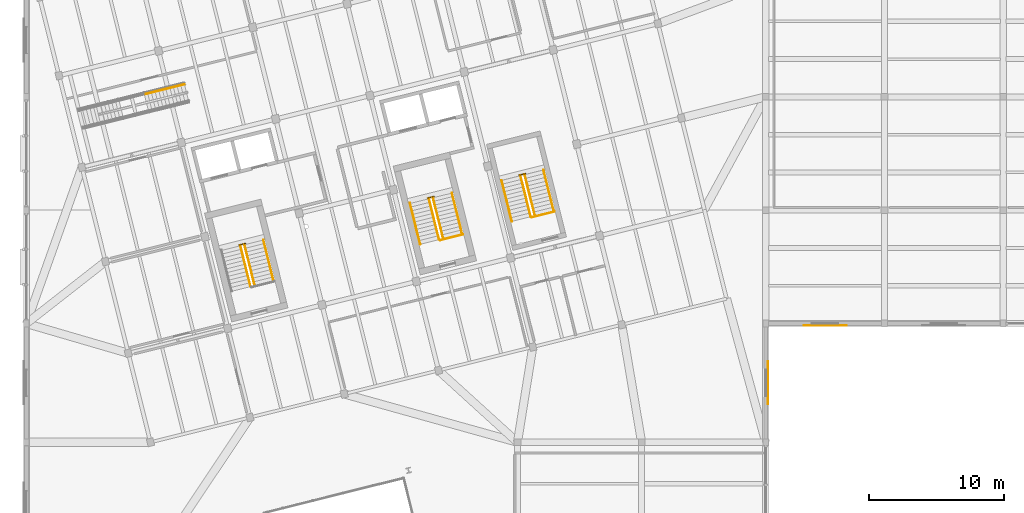
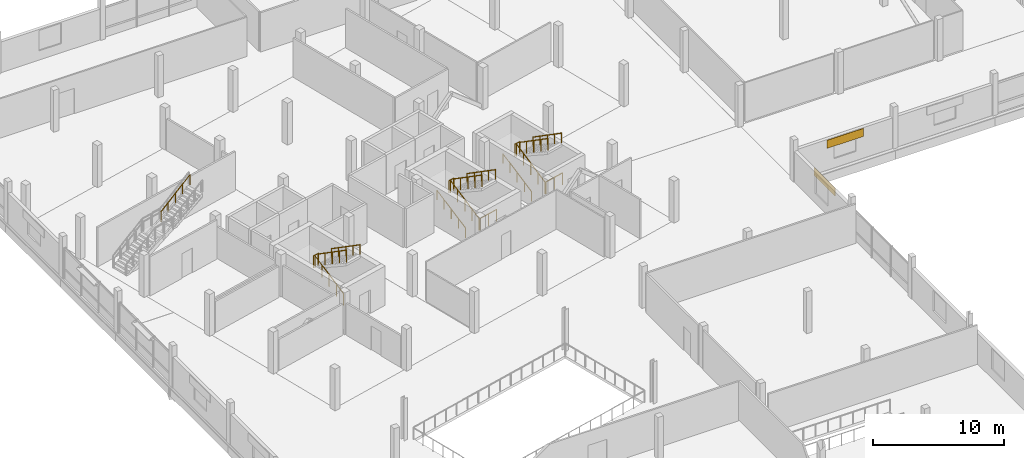
# One storey, part 61 of 62: 17 railings, 2 coverings.
"""IFC4 building model written with IfcOpenShell, lengths in metres."""

from ifc_helpers import new_model, si_unit, direction, frame, origin, origin_2d, place, context, subcontext, project, spatial, rectangle, circle, extrude, material, layer, layer_set, type_object, element, save


model = new_model("IFC4")

# Units and contexts
model_context = context("Model", 3, precision=1e-05, world=origin(), true_north=direction((0.0, 1.0)))
body_context = subcontext(model_context, "Body", "Model", "MODEL_VIEW")
ifc_project = project(units=[si_unit("LENGTHUNIT", "METRE"), si_unit("AREAUNIT", "SQUARE_METRE"), si_unit("VOLUMEUNIT", "CUBIC_METRE"), si_unit("PLANEANGLEUNIT", "RADIAN"), si_unit("MASSUNIT", "GRAM", prefix="KILO")], contexts=[model_context])

# Site, building, storey
site_placement = place(None, origin())
site = spatial("IfcSite", under=ifc_project, at=site_placement, CompositionType="ELEMENT")
building_placement = place(site_placement, origin())
building = spatial("IfcBuilding", under=site, at=building_placement, Name="Meriwether Solvik Hall", CompositionType="ELEMENT")
storey_placement = place(building_placement, frame((0.0, 0.0, 14.39990234375)))
storey = spatial("IfcBuildingStorey", under=building, at=storey_placement, Name="L03", CompositionType="ELEMENT", Elevation=14.39990234375)

# Coverings
ifc_material_1 = material(Name="Acetylated Charred Western Red Cedar Timber", Category="wood")
ifc_layer_1 = layer(ifc_material_1, 0.0400390625)
ifc_layer_set_1 = layer_set([ifc_layer_1], Name="Acetylated Charred Western Red Cedar Timber")
covering_type = type_object("IfcCoveringType", Name="COV-CLAD-TIMB", PredefinedType="CLADDING", material=ifc_layer_set_1)
for number, where, z_axis, x_axis, name in (
    (1, (118.60009765625, 49.840087890625, 2.05517578125), (0.0, 0.0, 1.0), (-1.0, 0.0, 0.0), "L03 Facade Cladding XF_13_6"),
    (2, (114.360107421875, 45.60009765625, 2.05517578125), (0.0, 0.0, 1.0), (0.0, -1.0, 0.0), "L03 Facade Cladding Y13_5_38"),
):
    element("IfcCovering", number, at=place(storey_placement, frame(where, z_axis=z_axis, x_axis=x_axis)), inside=storey, type_object=covering_type, Name=name, PredefinedType="CLADDING", context=body_context, shape_type="SweptSolid", body=[
        extrude(rectangle(XDim=3.199951171875, YDim=0.0400390625, at=origin_2d()), origin(), (0.0, 0.0, 1.0), 0.75),
    ])

# Railings
ifc_material_2 = material(Name="Steel A36 Galvanised", Category="steel")
ifc_layer_2 = layer(ifc_material_2, 0.054931640625)
ifc_layer_set_2 = layer_set([ifc_layer_2], Name="Steel A36 Galvanised")
railing_type_1 = type_object("IfcRailingType", Name="RAIL-STR-GUARD", PredefinedType="GUARDRAIL", material=ifc_layer_set_2)
railing_1_placement = place(storey_placement, frame((75.158935546875, 55.81591796875, 1.9501953125)))
element("IfcRailing", 3, at=railing_1_placement, inside=storey, type_object=railing_type_1, Name="Stair ST-01 Landing Guardrail (L03)", PredefinedType="GUARDRAIL", context=body_context, shape_type="SweptSolid", body=[
    extrude(circle(Radius=0.02392578125, at=origin_2d()), frame((0.0, 0.0, 1.09619140625), z_axis=(0.970343250308, 0.241731207299, 0.0), x_axis=(-0.241731207299, 0.970343250308, 0.0)), (0.0, 0.0, 1.0), 0.5),
    extrude(circle(Radius=0.02099609375, at=origin_2d()), origin(), (0.0, 0.0, 1.0), 1.072021484375),
    extrude(circle(Radius=0.02099609375, at=origin_2d()), frame((0.485107421875, 0.120849609375, 0.0)), (0.0, 0.0, 1.0), 1.072021484375),
])
railing_2_placement = place(storey_placement, frame((76.019287109375, 52.737548828125, 0.0)))
element("IfcRailing", 4, at=railing_2_placement, inside=storey, type_object=railing_type_1, Name="Stair ST-01 Flight 1 Inner Guardrail (L03)", PredefinedType="GUARDRAIL", context=body_context, shape_type="SweptSolid", body=[
    extrude(circle(Radius=0.02392578125, at=origin_2d()), frame((0.0, 0.0, 1.09619140625), z_axis=(-0.205445032468, 0.823896074846, 0.528192764516), x_axis=(-0.970288906122, -0.2419492481, 0.0)), (0.0, 0.0, 1.0), 3.692138671875),
    extrude(circle(Radius=0.02099609375, at=origin_2d()), origin(), (0.0, 0.0, 1.0), 1.072021484375),
    extrude(circle(Radius=0.02099609375, at=origin_2d()), frame((-0.189697265625, 0.760498046875, 0.487548828125)), (0.0, 0.0, 1.0), 1.072021484375),
    extrude(circle(Radius=0.02099609375, at=origin_2d()), frame((-0.37939453125, 1.52099609375, 0.97509765625)), (0.0, 0.0, 1.0), 1.072021484375),
    extrude(circle(Radius=0.02099609375, at=origin_2d()), frame((-0.56884765625, 2.281494140625, 1.462646484375)), (0.0, 0.0, 1.0), 1.072021484375),
    extrude(circle(Radius=0.02099609375, at=origin_2d()), frame((-0.758544921875, 3.0419921875, 1.9501953125)), (0.0, 0.0, 1.0), 1.072021484375),
])
railing_3_placement = place(storey_placement, frame((75.5712890625, 55.85693359375, 1.9501953125)))
element("IfcRailing", 5, at=railing_3_placement, inside=storey, type_object=railing_type_1, Name="Stair ST-01 Flight 2 Inner Guardrail (L03)", PredefinedType="GUARDRAIL", context=body_context, shape_type="SweptSolid", body=[
    extrude(circle(Radius=0.02392578125, at=origin_2d()), frame((0.0, 0.0, 1.09619140625), z_axis=(0.205388872055, -0.823936041794, 0.528152260498), x_axis=(0.970307185051, 0.241875932325, 0.0)), (0.0, 0.0, 1.0), 3.692138671875),
    extrude(circle(Radius=0.02099609375, at=origin_2d()), origin(), (0.0, 0.0, 1.0), 1.072021484375),
    extrude(circle(Radius=0.02099609375, at=origin_2d()), frame((0.189453125, -0.760498046875, 0.487548828125)), (0.0, 0.0, 1.0), 1.072021484375),
    extrude(circle(Radius=0.02099609375, at=origin_2d()), frame((0.379150390625, -1.52099609375, 0.97509765625)), (0.0, 0.0, 1.0), 1.072021484375),
    extrude(circle(Radius=0.02099609375, at=origin_2d()), frame((0.56884765625, -2.281494140625, 1.46240234375)), (0.0, 0.0, 1.0), 1.072021484375),
    extrude(circle(Radius=0.02099609375, at=origin_2d()), frame((0.75830078125, -3.0419921875, 1.949951171875)), (0.0, 0.0, 1.0), 1.072021484375),
])
railing_4_placement = place(storey_placement, frame((89.131103515625, 59.299560546875, 1.9501953125)))
element("IfcRailing", 6, at=railing_4_placement, inside=storey, type_object=railing_type_1, Name="Stair ST-02 Landing Guardrail (L03)", PredefinedType="GUARDRAIL", context=body_context, shape_type="SweptSolid", body=[
    extrude(circle(Radius=0.02392578125, at=origin_2d()), frame((0.0, 0.0, 1.09619140625), z_axis=(0.970228607419, 0.242190935722, 0.0), x_axis=(-0.242190935722, 0.970228607419, 0.0)), (0.0, 0.0, 1.0), 0.5),
    extrude(circle(Radius=0.02099609375, at=origin_2d()), origin(), (0.0, 0.0, 1.0), 1.072021484375),
    extrude(circle(Radius=0.02099609375, at=origin_2d()), frame((0.485107421875, 0.12109375, 0.0)), (0.0, 0.0, 1.0), 1.072021484375),
])
railing_5_placement = place(storey_placement, frame((90.064208984375, 56.177490234375, 0.0)))
element("IfcRailing", 7, at=railing_5_placement, inside=storey, type_object=railing_type_1, Name="Stair ST-02 Well Guardrail (L03)", PredefinedType="GUARDRAIL", context=body_context, shape_type="SweptSolid", body=[
    extrude(circle(Radius=0.02392578125, at=origin_2d()), frame((0.0, 0.0, 1.09619140625), z_axis=(0.970298223594, 0.241911879182, 0.0), x_axis=(-0.241911879182, 0.970298223594, 0.0)), (0.0, 0.0, 1.0), 1.75),
    extrude(circle(Radius=0.02099609375, at=origin_2d()), origin(), (0.0, 0.0, 1.0), 1.072021484375),
    extrude(circle(Radius=0.02099609375, at=origin_2d()), frame((0.84912109375, 0.211669921875, 0.0)), (0.0, 0.0, 1.0), 1.072021484375),
    extrude(circle(Radius=0.02099609375, at=origin_2d()), frame((1.697998046875, 0.42333984375, 0.0)), (0.0, 0.0, 1.0), 1.072021484375),
])
railing_6_placement = place(storey_placement, frame((89.991455078125, 56.22119140625, 0.0)))
element("IfcRailing", 8, at=railing_6_placement, inside=storey, type_object=railing_type_1, Name="Stair ST-02 Flight 1 Inner Guardrail (L03)", PredefinedType="GUARDRAIL", context=body_context, shape_type="SweptSolid", body=[
    extrude(circle(Radius=0.02392578125, at=origin_2d()), frame((0.0, 0.0, 1.09619140625), z_axis=(-0.205445032468, 0.823896074846, 0.528192764516), x_axis=(-0.970288906122, -0.2419492481, 0.0)), (0.0, 0.0, 1.0), 3.692138671875),
    extrude(circle(Radius=0.02099609375, at=origin_2d()), origin(), (0.0, 0.0, 1.0), 1.072021484375),
    extrude(circle(Radius=0.02099609375, at=origin_2d()), frame((-0.189697265625, 0.760498046875, 0.487548828125)), (0.0, 0.0, 1.0), 1.072021484375),
    extrude(circle(Radius=0.02099609375, at=origin_2d()), frame((-0.37939453125, 1.52099609375, 0.97509765625)), (0.0, 0.0, 1.0), 1.072021484375),
    extrude(circle(Radius=0.02099609375, at=origin_2d()), frame((-0.56884765625, 2.281494140625, 1.462646484375)), (0.0, 0.0, 1.0), 1.072021484375),
    extrude(circle(Radius=0.02099609375, at=origin_2d()), frame((-0.758544921875, 3.0419921875, 1.9501953125)), (0.0, 0.0, 1.0), 1.072021484375),
])
railing_7_placement = place(storey_placement, frame((89.54345703125, 59.340576171875, 1.9501953125)))
element("IfcRailing", 9, at=railing_7_placement, inside=storey, type_object=railing_type_1, Name="Stair ST-02 Flight 2 Inner Guardrail (L03)", PredefinedType="GUARDRAIL", context=body_context, shape_type="SweptSolid", body=[
    extrude(circle(Radius=0.02392578125, at=origin_2d()), frame((0.0, 0.0, 1.09619140625), z_axis=(0.205452207734, -0.823924849814, 0.528145086313), x_axis=(0.970288906122, 0.2419492481, 0.0)), (0.0, 0.0, 1.0), 3.692138671875),
    extrude(circle(Radius=0.02099609375, at=origin_2d()), origin(), (0.0, 0.0, 1.0), 1.072021484375),
    extrude(circle(Radius=0.02099609375, at=origin_2d()), frame((0.189697265625, -0.760498046875, 0.487548828125)), (0.0, 0.0, 1.0), 1.072021484375),
    extrude(circle(Radius=0.02099609375, at=origin_2d()), frame((0.37939453125, -1.52099609375, 0.97509765625)), (0.0, 0.0, 1.0), 1.072021484375),
    extrude(circle(Radius=0.02099609375, at=origin_2d()), frame((0.56884765625, -2.281494140625, 1.46240234375)), (0.0, 0.0, 1.0), 1.072021484375),
    extrude(circle(Radius=0.02099609375, at=origin_2d()), frame((0.758544921875, -3.0419921875, 1.949951171875)), (0.0, 0.0, 1.0), 1.072021484375),
])
railing_8_placement = place(storey_placement, frame((95.92333984375, 60.992919921875, 1.9501953125)))
element("IfcRailing", 10, at=railing_8_placement, inside=storey, type_object=railing_type_1, Name="Stair ST-03 Landing Guardrail (L03)", PredefinedType="GUARDRAIL", context=body_context, shape_type="SweptSolid", body=[
    extrude(circle(Radius=0.02392578125, at=origin_2d()), frame((0.0, 0.0, 1.09619140625), z_axis=(0.970228607419, 0.242190935722, 0.0), x_axis=(-0.242190935722, 0.970228607419, 0.0)), (0.0, 0.0, 1.0), 0.5),
    extrude(circle(Radius=0.02099609375, at=origin_2d()), origin(), (0.0, 0.0, 1.0), 1.072021484375),
    extrude(circle(Radius=0.02099609375, at=origin_2d()), frame((0.485107421875, 0.12109375, 0.0)), (0.0, 0.0, 1.0), 1.072021484375),
])
railing_9_placement = place(storey_placement, frame((96.856201171875, 57.87109375, 0.0)))
element("IfcRailing", 11, at=railing_9_placement, inside=storey, type_object=railing_type_1, Name="Stair ST-03 Well Guardrail (L03)", PredefinedType="GUARDRAIL", context=body_context, shape_type="SweptSolid", body=[
    extrude(circle(Radius=0.02392578125, at=origin_2d()), frame((0.0, 0.0, 1.09619140625), z_axis=(0.970298223594, 0.241911879182, 0.0), x_axis=(-0.241911879182, 0.970298223594, 0.0)), (0.0, 0.0, 1.0), 1.75),
    extrude(circle(Radius=0.02099609375, at=origin_2d()), origin(), (0.0, 0.0, 1.0), 1.072021484375),
    extrude(circle(Radius=0.02099609375, at=origin_2d()), frame((0.84912109375, 0.211669921875, 0.0)), (0.0, 0.0, 1.0), 1.072021484375),
    extrude(circle(Radius=0.02099609375, at=origin_2d()), frame((1.697998046875, 0.42333984375, 0.0)), (0.0, 0.0, 1.0), 1.072021484375),
])
railing_10_placement = place(storey_placement, frame((96.783447265625, 57.914794921875, 0.0)))
element("IfcRailing", 12, at=railing_10_placement, inside=storey, type_object=railing_type_1, Name="Stair ST-03 Flight 1 Inner Guardrail (L03)", PredefinedType="GUARDRAIL", context=body_context, shape_type="SweptSolid", body=[
    extrude(circle(Radius=0.02392578125, at=origin_2d()), frame((0.0, 0.0, 1.09619140625), z_axis=(-0.205392888505, 0.823886026365, 0.528228716478), x_axis=(-0.97030262861, -0.241894210166, 0.0)), (0.0, 0.0, 1.0), 3.69189453125),
    extrude(circle(Radius=0.02099609375, at=origin_2d()), origin(), (0.0, 0.0, 1.0), 1.072021484375),
    extrude(circle(Radius=0.02099609375, at=origin_2d()), frame((-0.189453125, 0.760498046875, 0.487548828125)), (0.0, 0.0, 1.0), 1.072021484375),
    extrude(circle(Radius=0.02099609375, at=origin_2d()), frame((-0.379150390625, 1.52099609375, 0.97509765625)), (0.0, 0.0, 1.0), 1.072021484375),
    extrude(circle(Radius=0.02099609375, at=origin_2d()), frame((-0.56884765625, 2.28125, 1.462646484375)), (0.0, 0.0, 1.0), 1.072021484375),
    extrude(circle(Radius=0.02099609375, at=origin_2d()), frame((-0.75830078125, 3.041748046875, 1.9501953125)), (0.0, 0.0, 1.0), 1.072021484375),
])
railing_11_placement = place(storey_placement, frame((96.335693359375, 61.033935546875, 1.9501953125)))
element("IfcRailing", 13, at=railing_11_placement, inside=storey, type_object=railing_type_1, Name="Stair ST-03 Flight 2 Inner Guardrail (L03)", PredefinedType="GUARDRAIL", context=body_context, shape_type="SweptSolid", body=[
    extrude(circle(Radius=0.02392578125, at=origin_2d()), frame((0.0, 0.0, 1.09619140625), z_axis=(0.205400062928, -0.823914804899, 0.528181037541), x_axis=(0.97030262861, 0.241894210166, 0.0)), (0.0, 0.0, 1.0), 3.69189453125),
    extrude(circle(Radius=0.02099609375, at=origin_2d()), origin(), (0.0, 0.0, 1.0), 1.072021484375),
    extrude(circle(Radius=0.02099609375, at=origin_2d()), frame((0.189453125, -0.760498046875, 0.487548828125)), (0.0, 0.0, 1.0), 1.072021484375),
    extrude(circle(Radius=0.02099609375, at=origin_2d()), frame((0.379150390625, -1.52099609375, 0.97509765625)), (0.0, 0.0, 1.0), 1.072021484375),
    extrude(circle(Radius=0.02099609375, at=origin_2d()), frame((0.56884765625, -2.28125, 1.46240234375)), (0.0, 0.0, 1.0), 1.072021484375),
    extrude(circle(Radius=0.02099609375, at=origin_2d()), frame((0.75830078125, -3.041748046875, 1.949951171875)), (0.0, 0.0, 1.0), 1.072021484375),
])
ifc_material_3 = material(Name="Stainless Steel AISI 316", Category="steel")
ifc_layer_3 = layer(ifc_material_3, 0.044921875)
ifc_layer_set_3 = layer_set([ifc_layer_3], Name="Stainless Steel AISI 316")
railing_type_2 = type_object("IfcRailingType", Name="RAIL-STR-HAND", PredefinedType="HANDRAIL", material=ifc_layer_set_3)
railing_12_placement = place(storey_placement, frame((76.968505859375, 56.205322265625, 1.9501953125)))
element("IfcRailing", 14, at=railing_12_placement, inside=storey, type_object=railing_type_2, Name="Stair ST-01 Upper Handrail (L03)", PredefinedType="HANDRAIL", context=body_context, shape_type="SweptSolid", body=[
    extrude(circle(Radius=0.02392578125, at=origin_2d()), frame((0.0, 0.0, 0.89599609375), z_axis=(0.205403888919, -0.823925689387, 0.528162570414), x_axis=(0.970302321101, 0.241895443665, 0.0)), (0.0, 0.0, 1.0), 3.698974609375),
    extrude(circle(Radius=0.02099609375, at=origin_2d()), origin(), (0.0, 0.0, 1.0), 0.871826171875),
    extrude(circle(Radius=0.02099609375, at=origin_2d()), frame((0.18994140625, -0.761962890625, 0.48828125)), (0.0, 0.0, 1.0), 0.871826171875),
    extrude(circle(Radius=0.02099609375, at=origin_2d()), frame((0.3798828125, -1.52392578125, 0.976806640625)), (0.0, 0.0, 1.0), 0.871826171875),
    extrude(circle(Radius=0.02099609375, at=origin_2d()), frame((0.56982421875, -2.28564453125, 1.46533203125)), (0.0, 0.0, 1.0), 0.871826171875),
    extrude(circle(Radius=0.02099609375, at=origin_2d()), frame((0.759765625, -3.047607421875, 1.95361328125)), (0.0, 0.0, 1.0), 0.871826171875),
])
railing_13_placement = place(storey_placement, frame((88.59423828125, 55.872802734375, 0.0)))
element("IfcRailing", 15, at=railing_13_placement, inside=storey, type_object=railing_type_2, Name="Stair ST-02 Lower Handrail (L03)", PredefinedType="HANDRAIL", context=body_context, shape_type="SweptSolid", body=[
    extrude(circle(Radius=0.02392578125, at=origin_2d()), frame((0.0, 0.0, 0.89599609375), z_axis=(-0.205403888919, 0.823925689387, 0.528162570414), x_axis=(-0.970302321101, -0.241895443665, 0.0)), (0.0, 0.0, 1.0), 3.698974609375),
    extrude(circle(Radius=0.02099609375, at=origin_2d()), origin(), (0.0, 0.0, 1.0), 0.871826171875),
    extrude(circle(Radius=0.02099609375, at=origin_2d()), frame((-0.18994140625, 0.761962890625, 0.48828125)), (0.0, 0.0, 1.0), 0.871826171875),
    extrude(circle(Radius=0.02099609375, at=origin_2d()), frame((-0.3798828125, 1.52392578125, 0.976806640625)), (0.0, 0.0, 1.0), 0.871826171875),
    extrude(circle(Radius=0.02099609375, at=origin_2d()), frame((-0.56982421875, 2.28564453125, 1.46533203125)), (0.0, 0.0, 1.0), 0.871826171875),
    extrude(circle(Radius=0.02099609375, at=origin_2d()), frame((-0.759765625, 3.047607421875, 1.95361328125)), (0.0, 0.0, 1.0), 0.871826171875),
])
railing_14_placement = place(storey_placement, frame((90.940673828125, 59.68896484375, 1.9501953125)))
element("IfcRailing", 16, at=railing_14_placement, inside=storey, type_object=railing_type_2, Name="Stair ST-02 Upper Handrail (L03)", PredefinedType="HANDRAIL", context=body_context, shape_type="SweptSolid", body=[
    extrude(circle(Radius=0.02392578125, at=origin_2d()), frame((0.0, 0.0, 0.89599609375), z_axis=(0.205467106702, -0.823914517495, 0.528155408876), x_axis=(0.970284074567, 0.241968623258, 0.0)), (0.0, 0.0, 1.0), 3.698974609375),
    extrude(circle(Radius=0.02099609375, at=origin_2d()), origin(), (0.0, 0.0, 1.0), 0.871826171875),
    extrude(circle(Radius=0.02099609375, at=origin_2d()), frame((0.18994140625, -0.761962890625, 0.48828125)), (0.0, 0.0, 1.0), 0.871826171875),
    extrude(circle(Radius=0.02099609375, at=origin_2d()), frame((0.3798828125, -1.52392578125, 0.976806640625)), (0.0, 0.0, 1.0), 0.871826171875),
    extrude(circle(Radius=0.02099609375, at=origin_2d()), frame((0.570068359375, -2.28564453125, 1.46533203125)), (0.0, 0.0, 1.0), 0.871826171875),
    extrude(circle(Radius=0.02099609375, at=origin_2d()), frame((0.760009765625, -3.047607421875, 1.95361328125)), (0.0, 0.0, 1.0), 0.871826171875),
])
railing_15_placement = place(storey_placement, frame((95.38623046875, 57.56640625, 0.0)))
element("IfcRailing", 17, at=railing_15_placement, inside=storey, type_object=railing_type_2, Name="Stair ST-03 Lower Handrail (L03)", PredefinedType="HANDRAIL", context=body_context, shape_type="SweptSolid", body=[
    extrude(circle(Radius=0.02392578125, at=origin_2d()), frame((0.0, 0.0, 0.89599609375), z_axis=(-0.205415059707, 0.823904490764, 0.528191294271), x_axis=(-0.970297772345, -0.241913689115, 0.0)), (0.0, 0.0, 1.0), 3.69873046875),
    extrude(circle(Radius=0.02099609375, at=origin_2d()), origin(), (0.0, 0.0, 1.0), 0.871826171875),
    extrude(circle(Radius=0.02099609375, at=origin_2d()), frame((-0.18994140625, 0.76171875, 0.48828125)), (0.0, 0.0, 1.0), 0.871826171875),
    extrude(circle(Radius=0.02099609375, at=origin_2d()), frame((-0.3798828125, 1.523681640625, 0.976806640625)), (0.0, 0.0, 1.0), 0.871826171875),
    extrude(circle(Radius=0.02099609375, at=origin_2d()), frame((-0.56982421875, 2.28564453125, 1.46533203125)), (0.0, 0.0, 1.0), 0.871826171875),
    extrude(circle(Radius=0.02099609375, at=origin_2d()), frame((-0.759765625, 3.04736328125, 1.95361328125)), (0.0, 0.0, 1.0), 0.871826171875),
])
railing_16_placement = place(storey_placement, frame((97.73291015625, 61.38232421875, 1.9501953125)))
element("IfcRailing", 18, at=railing_16_placement, inside=storey, type_object=railing_type_2, Name="Stair ST-03 Upper Handrail (L03)", PredefinedType="HANDRAIL", context=body_context, shape_type="SweptSolid", body=[
    extrude(circle(Radius=0.02392578125, at=origin_2d()), frame((0.0, 0.0, 0.89599609375), z_axis=(0.205415059707, -0.823904490764, 0.528191294271), x_axis=(0.970297772345, 0.241913689115, 0.0)), (0.0, 0.0, 1.0), 3.69873046875),
    extrude(circle(Radius=0.02099609375, at=origin_2d()), origin(), (0.0, 0.0, 1.0), 0.871826171875),
    extrude(circle(Radius=0.02099609375, at=origin_2d()), frame((0.18994140625, -0.76171875, 0.48828125)), (0.0, 0.0, 1.0), 0.871826171875),
    extrude(circle(Radius=0.02099609375, at=origin_2d()), frame((0.3798828125, -1.523681640625, 0.976806640625)), (0.0, 0.0, 1.0), 0.871826171875),
    extrude(circle(Radius=0.02099609375, at=origin_2d()), frame((0.56982421875, -2.28564453125, 1.46533203125)), (0.0, 0.0, 1.0), 0.871826171875),
    extrude(circle(Radius=0.02099609375, at=origin_2d()), frame((0.759765625, -3.04736328125, 1.95361328125)), (0.0, 0.0, 1.0), 0.871826171875),
])
railing_17_placement = place(storey_placement, frame((68.130126953125, 66.97705078125, 1.9501953125)))
element("IfcRailing", 19, at=railing_17_placement, inside=storey, type_object=railing_type_2, Name="Stair ST-ED1 Handrail R 3", PredefinedType="HANDRAIL", context=body_context, shape_type="SweptSolid", body=[
    extrude(circle(Radius=0.02392578125, at=origin_2d()), frame((0.0, 0.0, 0.89599609375), z_axis=(0.819809056929, 0.204417489896, 0.53490802948), x_axis=(-0.241939874624, 0.970291243425, 0.0)), (0.0, 0.0, 1.0), 3.65234375),
    extrude(circle(Radius=0.02099609375, at=origin_2d()), origin(), (0.0, 0.0, 1.0), 0.871826171875),
    extrude(circle(Radius=0.02099609375, at=origin_2d()), frame((0.74853515625, 0.1865234375, 0.48828125)), (0.0, 0.0, 1.0), 0.871826171875),
    extrude(circle(Radius=0.02099609375, at=origin_2d()), frame((1.4970703125, 0.373291015625, 0.976806640625)), (0.0, 0.0, 1.0), 0.871826171875),
    extrude(circle(Radius=0.02099609375, at=origin_2d()), frame((2.24560546875, 0.56005859375, 1.46533203125)), (0.0, 0.0, 1.0), 0.871826171875),
    extrude(circle(Radius=0.02099609375, at=origin_2d()), frame((2.994140625, 0.74658203125, 1.95361328125)), (0.0, 0.0, 1.0), 0.871826171875),
])

save(model, "model.ifc")
